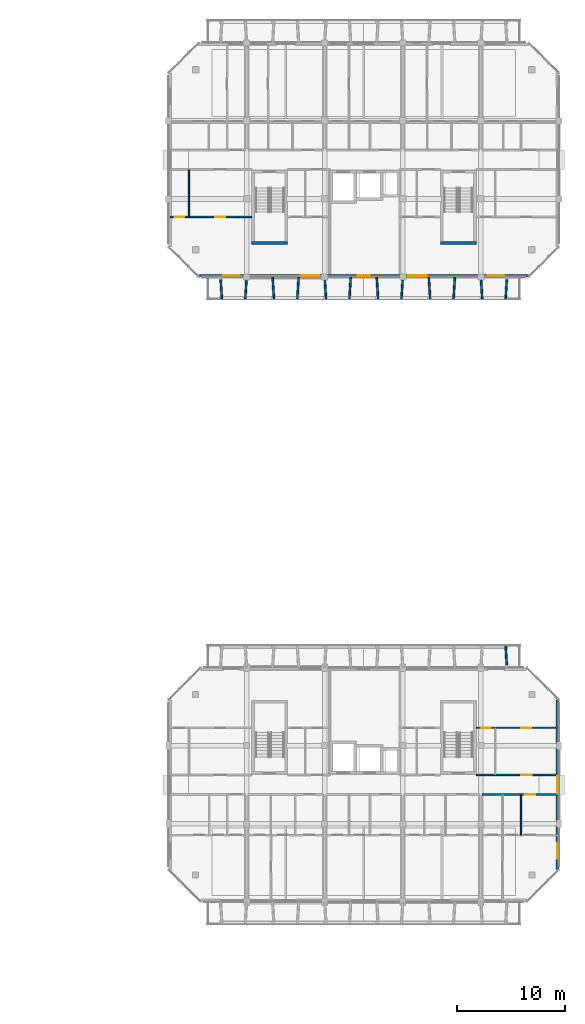
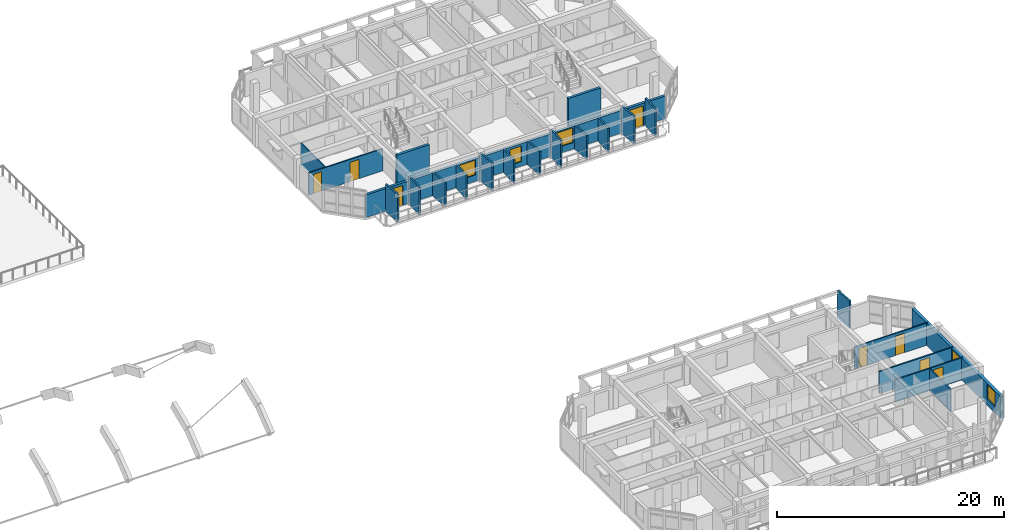
# One storey, part 43 of 64: 23 walls, 8 doors, 5 windows, 13 openings.
"""IFC4 building model written with IfcOpenShell, lengths in metres."""

from ifc_helpers import new_model, si_unit, direction, frame, frame_2d, origin, place, context, subcontext, project, spatial, rectangle, extrude, material, layer, layer_set, type_object, element, fill, save


model = new_model("IFC4")

# Units and contexts
model_context = context("Model", 3, precision=1e-05, world=origin(), true_north=direction((0.0, 1.0)))
body_context = subcontext(model_context, "Body", "Model", "MODEL_VIEW")
ifc_project = project(units=[si_unit("LENGTHUNIT", "METRE"), si_unit("AREAUNIT", "SQUARE_METRE"), si_unit("VOLUMEUNIT", "CUBIC_METRE"), si_unit("PLANEANGLEUNIT", "RADIAN"), si_unit("MASSUNIT", "GRAM", prefix="KILO")], contexts=[model_context])

# Site, building, storey
site_placement = place(None, origin())
site = spatial("IfcSite", under=ifc_project, at=site_placement, CompositionType="ELEMENT")
building_placement = place(site_placement, origin())
building = spatial("IfcBuilding", under=site, at=building_placement, Name="Ochrevale Crest", CompositionType="ELEMENT")
storey_placement = place(building_placement, frame((0.0, 0.0, 8.699951171875)))
storey = spatial("IfcBuildingStorey", under=building, at=storey_placement, Name="L02", CompositionType="ELEMENT", Elevation=8.699951171875)

# Wall, opening, door
ifc_material_1 = material(Name="Gypsum plasterboard", Category="gypsum")
ifc_layer_1 = layer(ifc_material_1, 0.139892578125)
ifc_layer_set_1 = layer_set([ifc_layer_1], Name="Gypsum plasterboard")
wall_type_1 = type_object("IfcWallType", Name="WL-COR-140", PredefinedType="PARTITIONING", material=ifc_layer_set_1)
wall_1_placement = place(storey_placement, frame((158.5400390625, 24.300048828125, 0.0), z_axis=(0.0, 0.0, 1.0), x_axis=(1.0, 0.0, 0.0)))
wall_1 = element("IfcWall", 1, at=wall_1_placement, inside=storey, type_object=wall_type_1, Name="Apartment C-L02-U5 corridor wall", PredefinedType="PARTITIONING", context=body_context, shape_type="SweptSolid", body=[
    extrude(rectangle(XDim=6.919921875, YDim=0.139892578125, at=frame_2d((3.4599609375, 0.0))), origin(), (0.0, 0.0, 1.0), 2.380126953125),
])
opening_1_placement = place(wall_1_placement, frame((3.89501953125, 0.0, 0.0)))
opening_1 = element("IfcOpeningElement", 2, at=opening_1_placement, cuts=wall_1, Name="Opening FD01", PredefinedType="OPENING", context=body_context, shape_type="SweptSolid", body=[
    extrude(rectangle(XDim=0.97998046875, YDim=2.10009765625, at=frame_2d((0.489990234375, 1.050048828125))), frame((0.0, 0.080078125, 0.0), z_axis=(0.0, -1.0, 0.0), x_axis=(1.0, 0.0, 0.0)), (0.0, 0.0, 1.0), 0.159912109375),
])
ifc_material_2 = material(Name="Solid-core FSC hardwood", Category="wood")
door_type_1 = type_object("IfcDoorType", Name="DR-APT-950", OperationType="NOTDEFINED", PredefinedType="DOOR", material=ifc_material_2)
door_1_placement = place(opening_1_placement, origin())
door_1 = element("IfcDoor", 3, at=door_1_placement, inside=storey, type_object=door_type_1, Name="Apartment C-L02-U5 entrance door", OperationType="SINGLE_SWING_LEFT", OverallHeight=2.10009765625, OverallWidth=0.97998046875, PredefinedType="DOOR", context=body_context, shape_type="SweptSolid", body=[
    extrude(rectangle(XDim=0.97998046875, YDim=2.10009765625, at=frame_2d((0.489990234375, 1.050048828125))), frame((0.0, 0.02490234375, 0.0), z_axis=(0.0, -1.0, 0.0), x_axis=(1.0, 0.0, 0.0)), (0.0, 0.0, 1.0), 0.050048828125),
])
fill(opening_1, door_1)

wall_2_placement = place(storey_placement, frame((157.989990234375, 26.10009765625, 0.0), z_axis=(0.0, 0.0, 1.0), x_axis=(1.0, 0.0, 0.0)))
wall_2 = element("IfcWall", 4, at=wall_2_placement, inside=storey, type_object=wall_type_1, Name="Suite C-L02-CE corridor wall", PredefinedType="PARTITIONING", context=body_context, shape_type="SweptSolid", body=[
    extrude(rectangle(XDim=7.469970703125, YDim=0.139892578125, at=frame_2d((3.73486328125, 0.0))), origin(), (0.0, 0.0, 1.0), 2.380126953125),
])
opening_2_placement = place(wall_2_placement, frame((4.1201171875, 0.0, 0.0)))
opening_2 = element("IfcOpeningElement", 5, at=opening_2_placement, cuts=wall_2, Name="Opening FD01", PredefinedType="OPENING", context=body_context, shape_type="SweptSolid", body=[
    extrude(rectangle(XDim=0.97998046875, YDim=2.10009765625, at=frame_2d((0.489990234375, 1.050048828125))), frame((0.0, 0.080078125, 0.0), z_axis=(0.0, -1.0, 0.0), x_axis=(1.0, 0.0, 0.0)), (0.0, 0.0, 1.0), 0.159912109375),
])
door_2_placement = place(opening_2_placement, origin())
door_2 = element("IfcDoor", 6, at=door_2_placement, inside=storey, type_object=door_type_1, Name="Suite C-L02-CE entrance door", OperationType="SINGLE_SWING_LEFT", OverallHeight=2.10009765625, OverallWidth=0.97998046875, PredefinedType="DOOR", context=body_context, shape_type="SweptSolid", body=[
    extrude(rectangle(XDim=0.97998046875, YDim=2.10009765625, at=frame_2d((0.489990234375, 1.050048828125))), frame((0.0, 0.02490234375, 0.0), z_axis=(0.0, -1.0, 0.0), x_axis=(1.0, 0.0, 0.0)), (0.0, 0.0, 1.0), 0.050048828125),
])
fill(opening_2, door_2)

# Walls
ifc_material_3 = material(Name="Precast concrete C50/60", Category="concrete")
ifc_layer_2 = layer(ifc_material_3, 0.2548828125)
ifc_layer_set_2 = layer_set([ifc_layer_2], Name="Precast concrete C50/60")
wall_type_2 = type_object("IfcWallType", Name="WL-CORE-255", PredefinedType="SHEAR", material=ifc_layer_set_2)
for number, where, z_axis, x_axis, name in (
    (7, (137.2724609375, 75.14990234375, 0.0), (0.0, 0.0, 1.0), (1.0, 0.0, 0.0), "Block D L02 Stair 1 precast core shear wall S"),
    (8, (154.672607421875, 75.14990234375, 0.0), (0.0, 0.0, 1.0), (1.0, 0.0, 0.0), "Block D L02 Stair 2 precast core shear wall S"),
):
    element("IfcWall", number, at=place(storey_placement, frame(where, z_axis=z_axis, x_axis=x_axis)), inside=storey, type_object=wall_type_2, Name=name, PredefinedType="SHEAR", context=body_context, shape_type="SweptSolid", body=[
        extrude(rectangle(XDim=3.304931640625, YDim=0.2548828125, at=frame_2d((1.65234375, 0.0))), origin(), (0.0, 0.0, 1.0), 3.150146484375),
    ])

# Wall, openings, windows
ifc_material_4 = material(Name="Clay face brickwork", Category="masonry")
ifc_layer_3 = layer(ifc_material_4, 0.2900390625)
ifc_layer_set_3 = layer_set([ifc_layer_3], Name="Clay face brickwork")
wall_type_3 = type_object("IfcWallType", Name="WL-EXT-BRICK-290", PredefinedType="SOLIDWALL", material=ifc_layer_set_3)
wall_3_placement = place(storey_placement, frame((165.455078125, 17.39990234375, 0.0), z_axis=(0.0, 0.0, 1.0), x_axis=(0.0, 1.0, 0.0)))
wall_3 = element("IfcWall", 9, at=wall_3_placement, inside=storey, type_object=wall_type_3, Name="Block C L02 external facade wall E3", PredefinedType="SOLIDWALL", context=body_context, shape_type="SweptSolid", body=[
    extrude(rectangle(XDim=15.60009765625, YDim=0.2900390625, at=frame_2d((7.800048828125, 0.0))), origin(), (0.0, 0.0, 1.0), 2.380126953125),
])
opening_3_placement = place(wall_3_placement, frame((6.97509765625, 0.0, 1.050048828125)))
opening_3 = element("IfcOpeningElement", 10, at=opening_3_placement, cuts=wall_3, Name="Opening W19", PredefinedType="OPENING", context=body_context, shape_type="SweptSolid", body=[
    extrude(rectangle(XDim=1.64990234375, YDim=1.14990234375, at=frame_2d((0.824951171875, 0.574951171875))), frame((0.0, 0.155029296875, 0.0), z_axis=(0.0, -1.0, 0.0), x_axis=(1.0, 0.0, 0.0)), (0.0, 0.0, 1.0), 0.31005859375),
])
opening_4_placement = place(wall_3_placement, frame((0.97998046875, 0.0, 0.669921875)))
opening_4 = element("IfcOpeningElement", 11, at=opening_4_placement, cuts=wall_3, Name="Opening W31", PredefinedType="OPENING", context=body_context, shape_type="SweptSolid", body=[
    extrude(rectangle(XDim=1.419921875, YDim=1.60009765625, at=frame_2d((0.7099609375, 0.800048828125))), frame((0.0, 0.155029296875, 0.0), z_axis=(0.0, -1.0, 0.0), x_axis=(1.0, 0.0, 0.0)), (0.0, 0.0, 1.0), 0.31005859375),
])
ifc_material_5 = material(Name="Anodised aluminium 6063-T5 and low-E double glazing", Category="aluminium")
window_type_1 = type_object("IfcWindowType", Name="WIN-W19", PartitioningType="SINGLE_PANEL", PredefinedType="WINDOW", material=ifc_material_5)
window_1_placement = place(opening_3_placement, origin())
window_1 = element("IfcWindow", 12, at=window_1_placement, inside=storey, type_object=window_type_1, Name="Block C L02 corridor end daylight window E", OverallHeight=1.14990234375, OverallWidth=1.64990234375, PartitioningType="SINGLE_PANEL", PredefinedType="WINDOW", context=body_context, shape_type="SweptSolid", body=[
    extrude(rectangle(XDim=1.64990234375, YDim=1.14990234375, at=frame_2d((0.824951171875, 0.574951171875))), frame((0.0, 0.030029296875, 0.0), z_axis=(0.0, -1.0, 0.0), x_axis=(1.0, 0.0, 0.0)), (0.0, 0.0, 1.0), 0.06005859375),
])
fill(opening_3, window_1)
window_type_2 = type_object("IfcWindowType", Name="WIN-W31", PartitioningType="SINGLE_PANEL", PredefinedType="WINDOW", material=ifc_material_5)
window_2_placement = place(opening_4_placement, origin())
window_2 = element("IfcWindow", 13, at=window_2_placement, inside=storey, type_object=window_type_2, Name="Block C L02 side suite window E", OverallHeight=1.60009765625, OverallWidth=1.419921875, PartitioningType="SINGLE_PANEL", PredefinedType="WINDOW", context=body_context, shape_type="SweptSolid", body=[
    extrude(rectangle(XDim=1.419921875, YDim=1.60009765625, at=frame_2d((0.7099609375, 0.800048828125))), frame((0.0, 0.030029296875, 0.0), z_axis=(0.0, -1.0, 0.0), x_axis=(1.0, 0.0, 0.0)), (0.0, 0.0, 1.0), 0.06005859375),
])
fill(opening_4, window_2)

# Wall, openings, doors, windows
ifc_material_6 = material(Name="Precast concrete C40/50", Category="concrete")
ifc_layer_4 = layer(ifc_material_6, 0.25)
ifc_layer_set_4 = layer_set([ifc_layer_4], Name="Precast concrete C40/50")
wall_type_4 = type_object("IfcWallType", Name="WL-EXT-GOLD-250", PredefinedType="SOLIDWALL", material=ifc_layer_set_4)
wall_4_placement = place(storey_placement, frame((132.39990234375, 72.125, 0.0), z_axis=(0.0, 0.0, 1.0), x_axis=(1.0, 0.0, 0.0)))
wall_4 = element("IfcWall", 14, at=wall_4_placement, inside=storey, type_object=wall_type_4, Name="Block D L02 external facade wall E1", PredefinedType="SOLIDWALL", context=body_context, shape_type="SweptSolid", body=[
    extrude(rectangle(XDim=30.400146484375, YDim=0.25, at=frame_2d((15.2001953125, 0.0))), origin(), (0.0, 0.0, 1.0), 2.429931640625),
])
opening_5_placement = place(wall_4_placement, frame((3.75, 0.0, 0.0), z_axis=(0.0, 0.0, 1.0), x_axis=(-1.0, 0.0, 0.0)))
opening_5 = element("IfcOpeningElement", 15, at=opening_5_placement, cuts=wall_4, Name="Opening BD01", PredefinedType="OPENING", context=body_context, shape_type="SweptSolid", body=[
    extrude(rectangle(XDim=1.5, YDim=2.14990234375, at=frame_2d((0.75, 1.074951171875))), frame((0.0, 0.135009765625, 0.0), z_axis=(0.0, -1.0, 0.0), x_axis=(1.0, 0.0, 0.0)), (0.0, 0.0, 1.0), 0.27001953125),
])
opening_6_placement = place(wall_4_placement, frame((28.14990234375, 0.0, 0.0), z_axis=(0.0, 0.0, 1.0), x_axis=(-1.0, 0.0, 0.0)))
opening_6 = element("IfcOpeningElement", 16, at=opening_6_placement, cuts=wall_4, Name="Opening BD01", PredefinedType="OPENING", context=body_context, shape_type="SweptSolid", body=[
    extrude(rectangle(XDim=1.5, YDim=2.14990234375, at=frame_2d((0.75, 1.074951171875))), frame((0.0, 0.135009765625, 0.0), z_axis=(0.0, -1.0, 0.0), x_axis=(1.0, 0.0, 0.0)), (0.0, 0.0, 1.0), 0.27001953125),
])
opening_7_placement = place(wall_4_placement, frame((14.625, 0.0, 0.5)))
opening_7 = element("IfcOpeningElement", 17, at=opening_7_placement, cuts=wall_4, Name="Opening W32", PredefinedType="OPENING", context=body_context, shape_type="SweptSolid", body=[
    extrude(rectangle(XDim=1.14990234375, YDim=1.679931640625, at=frame_2d((0.574951171875, 0.83984375))), frame((0.0, 0.135009765625, 0.0), z_axis=(0.0, -1.0, 0.0), x_axis=(1.0, 0.0, 0.0)), (0.0, 0.0, 1.0), 0.27001953125),
])
opening_8_placement = place(wall_4_placement, frame((19.297607421875, 0.0, 0.699951171875)))
opening_8 = element("IfcOpeningElement", 18, at=opening_8_placement, cuts=wall_4, Name="Opening W10", PredefinedType="OPENING", context=body_context, shape_type="SweptSolid", body=[
    extrude(rectangle(XDim=1.719970703125, YDim=1.60009765625, at=frame_2d((0.85986328125, 0.800048828125))), frame((0.0, 0.135009765625, 0.0), z_axis=(0.0, -1.0, 0.0), x_axis=(1.0, 0.0, 0.0)), (0.0, 0.0, 1.0), 0.27001953125),
])
opening_9_placement = place(wall_4_placement, frame((9.382568359375, 0.0, 0.699951171875)))
opening_9 = element("IfcOpeningElement", 19, at=opening_9_placement, cuts=wall_4, Name="Opening W10", PredefinedType="OPENING", context=body_context, shape_type="SweptSolid", body=[
    extrude(rectangle(XDim=1.719970703125, YDim=1.60009765625, at=frame_2d((0.85986328125, 0.800048828125))), frame((0.0, 0.135009765625, 0.0), z_axis=(0.0, -1.0, 0.0), x_axis=(1.0, 0.0, 0.0)), (0.0, 0.0, 1.0), 0.27001953125),
])
ifc_material_7 = material(Name="Anodised aluminium 6063-T5 and toughened glass", Category="aluminium")
door_type_2 = type_object("IfcDoorType", Name="DR-BAL-1500", OperationType="NOTDEFINED", PredefinedType="DOOR", material=ifc_material_7)
door_3_placement = place(opening_5_placement, origin())
door_3 = element("IfcDoor", 20, at=door_3_placement, inside=storey, type_object=door_type_2, Name="Block D L02 balcony door S1", OperationType="SINGLE_SWING_LEFT", OverallHeight=2.14990234375, OverallWidth=1.5, PredefinedType="DOOR", context=body_context, shape_type="SweptSolid", body=[
    extrude(rectangle(XDim=1.5, YDim=2.14990234375, at=frame_2d((0.75, 1.074951171875))), frame((0.0, 0.02490234375, 0.0), z_axis=(0.0, -1.0, 0.0), x_axis=(1.0, 0.0, 0.0)), (0.0, 0.0, 1.0), 0.050048828125),
])
fill(opening_5, door_3)
door_4_placement = place(opening_6_placement, origin())
door_4 = element("IfcDoor", 21, at=door_4_placement, inside=storey, type_object=door_type_2, Name="Block D L02 balcony door S5", OperationType="SINGLE_SWING_RIGHT", OverallHeight=2.14990234375, OverallWidth=1.5, PredefinedType="DOOR", context=body_context, shape_type="SweptSolid", body=[
    extrude(rectangle(XDim=1.5, YDim=2.14990234375, at=frame_2d((0.75, 1.074951171875))), frame((0.0, 0.02490234375, 0.0), z_axis=(0.0, -1.0, 0.0), x_axis=(1.0, 0.0, 0.0)), (0.0, 0.0, 1.0), 0.050048828125),
])
fill(opening_6, door_4)
window_type_3 = type_object("IfcWindowType", Name="WIN-W10", PartitioningType="SINGLE_PANEL", PredefinedType="WINDOW", material=ifc_material_5)
window_3_placement = place(opening_8_placement, origin())
window_3 = element("IfcWindow", 22, at=window_3_placement, inside=storey, type_object=window_type_3, Name="Block D L02 Suite D-L02-ME Garden Alcove Studio window", OverallHeight=1.60009765625, OverallWidth=1.719970703125, PartitioningType="SINGLE_PANEL", PredefinedType="WINDOW", context=body_context, shape_type="SweptSolid", body=[
    extrude(rectangle(XDim=1.719970703125, YDim=1.60009765625, at=frame_2d((0.85986328125, 0.800048828125))), frame((0.0, 0.030029296875, 0.0), z_axis=(0.0, -1.0, 0.0), x_axis=(1.0, 0.0, 0.0)), (0.0, 0.0, 1.0), 0.06005859375),
])
fill(opening_8, window_3)
window_4_placement = place(opening_9_placement, origin())
window_4 = element("IfcWindow", 23, at=window_4_placement, inside=storey, type_object=window_type_3, Name="Block D L02 Suite D-L02-MW Courtyard Studio Living window", OverallHeight=1.60009765625, OverallWidth=1.719970703125, PartitioningType="SINGLE_PANEL", PredefinedType="WINDOW", context=body_context, shape_type="SweptSolid", body=[
    extrude(rectangle(XDim=1.719970703125, YDim=1.60009765625, at=frame_2d((0.85986328125, 0.800048828125))), frame((0.0, 0.030029296875, 0.0), z_axis=(0.0, -1.0, 0.0), x_axis=(1.0, 0.0, 0.0)), (0.0, 0.0, 1.0), 0.06005859375),
])
fill(opening_9, window_4)
window_type_4 = type_object("IfcWindowType", Name="WIN-W32", PartitioningType="SINGLE_PANEL", PredefinedType="WINDOW", material=ifc_material_5)
window_5_placement = place(opening_7_placement, origin())
window_5 = element("IfcWindow", 24, at=window_5_placement, inside=storey, type_object=window_type_4, Name="Block D L02 core lancet window", OverallHeight=1.679931640625, OverallWidth=1.14990234375, PartitioningType="SINGLE_PANEL", PredefinedType="WINDOW", context=body_context, shape_type="SweptSolid", body=[
    extrude(rectangle(XDim=1.14990234375, YDim=1.679931640625, at=frame_2d((0.574951171875, 0.83984375))), frame((0.0, 0.030029296875, 0.0), z_axis=(0.0, -1.0, 0.0), x_axis=(1.0, 0.0, 0.0)), (0.0, 0.0, 1.0), 0.06005859375),
])
fill(opening_7, window_5)

# Walls
ifc_layer_5 = layer(ifc_material_6, 0.1650390625)
ifc_layer_set_5 = layer_set([ifc_layer_5], Name="Precast concrete C40/50")
wall_type_5 = type_object("IfcWallType", Name="WL-HC-CHEEK-165", PredefinedType="ELEMENTEDWALL", material=ifc_layer_set_5)
for number, where, z_axis, x_axis, name in (
    (25, (160.800048828125, 36.02001953125, 0.0), (0.0, 0.0, 1.0), (-0.061170732449, 0.998127317276, 0.0), "Block C L02 N precast honeycomb cheek 12"),
    (26, (134.39990234375, 71.97998046875, 0.0), (0.0, 0.0, 1.0), (0.061170732449, -0.998127317276, 0.0), "Block D L02 S precast honeycomb cheek 1"),
    (27, (136.800048828125, 71.97998046875, 0.0), (0.0, 0.0, 1.0), (-0.061170732449, -0.998127317276, 0.0), "Block D L02 S precast honeycomb cheek 2"),
):
    element("IfcWall", number, at=place(storey_placement, frame(where, z_axis=z_axis, x_axis=x_axis)), inside=storey, type_object=wall_type_5, Name=name, PredefinedType="ELEMENTEDWALL", context=body_context, shape_type="SweptSolid", body=[
        extrude(rectangle(XDim=1.963623046875, YDim=0.1650390625, at=frame_2d((0.98193359375, 0.0))), origin(), (0.0, 0.0, 1.0), 2.949951171875),
    ])
for number, where, z_axis, x_axis, name in (
    (28, (139.199951171875, 71.97998046875, 0.0), (0.0, 0.0, 1.0), (0.061170732449, -0.998127317276, 0.0), "Block D L02 S precast honeycomb cheek 3"),
    (29, (141.60009765625, 71.97998046875, 0.0), (0.0, 0.0, 1.0), (-0.061170732449, -0.998127317276, 0.0), "Block D L02 S precast honeycomb cheek 4"),
):
    element("IfcWall", number, at=place(storey_placement, frame(where, z_axis=z_axis, x_axis=x_axis)), inside=storey, type_object=wall_type_5, Name=name, PredefinedType="ELEMENTEDWALL", context=body_context, shape_type="SweptSolid", body=[
        extrude(rectangle(XDim=1.963623046875, YDim=0.1650390625, at=frame_2d((0.98193359375, 0.0))), origin(), (0.0, 0.0, 1.0), 2.530029296875),
    ])
wall_5_placement = place(storey_placement, frame((144.0, 71.97998046875, 0.0), z_axis=(0.0, 0.0, 1.0), x_axis=(0.061170732449, -0.998127317276, 0.0)))
element("IfcWall", 30, at=wall_5_placement, inside=storey, type_object=wall_type_5, Name="Block D L02 S precast honeycomb cheek 5", PredefinedType="ELEMENTEDWALL", context=body_context, shape_type="SweptSolid", body=[
    extrude(rectangle(XDim=1.963623046875, YDim=0.1650390625, at=frame_2d((0.98193359375, 0.0))), origin(), (0.0, 0.0, 1.0), 2.949951171875),
])
for number, where, z_axis, x_axis, name in (
    (31, (146.39990234375, 71.97998046875, 0.0), (0.0, 0.0, 1.0), (-0.061046865508, -0.998134900808, 0.0), "Block D L02 S precast honeycomb cheek 6"),
    (32, (148.800048828125, 71.97998046875, 0.0), (0.0, 0.0, 1.0), (0.061046865508, -0.998134900808, 0.0), "Block D L02 S precast honeycomb cheek 7"),
):
    element("IfcWall", number, at=place(storey_placement, frame(where, z_axis=z_axis, x_axis=x_axis)), inside=storey, type_object=wall_type_5, Name=name, PredefinedType="ELEMENTEDWALL", context=body_context, shape_type="SweptSolid", body=[
        extrude(rectangle(XDim=1.963623046875, YDim=0.1650390625, at=frame_2d((0.98193359375, 0.0))), origin(), (0.0, 0.0, 1.0), 2.530029296875),
    ])
wall_6_placement = place(storey_placement, frame((151.199951171875, 71.97998046875, 0.0), z_axis=(0.0, 0.0, 1.0), x_axis=(-0.061046865508, -0.998134900808, 0.0)))
element("IfcWall", 33, at=wall_6_placement, inside=storey, type_object=wall_type_5, Name="Block D L02 S precast honeycomb cheek 8", PredefinedType="ELEMENTEDWALL", context=body_context, shape_type="SweptSolid", body=[
    extrude(rectangle(XDim=1.963623046875, YDim=0.1650390625, at=frame_2d((0.98193359375, 0.0))), origin(), (0.0, 0.0, 1.0), 2.949951171875),
])
for number, where, z_axis, x_axis, name in (
    (34, (153.60009765625, 71.97998046875, 0.0), (0.0, 0.0, 1.0), (0.061046865508, -0.998134900808, 0.0), "Block D L02 S precast honeycomb cheek 9"),
    (35, (156.0, 71.97998046875, 0.0), (0.0, 0.0, 1.0), (-0.061170732449, -0.998127317276, 0.0), "Block D L02 S precast honeycomb cheek 10"),
):
    element("IfcWall", number, at=place(storey_placement, frame(where, z_axis=z_axis, x_axis=x_axis)), inside=storey, type_object=wall_type_5, Name=name, PredefinedType="ELEMENTEDWALL", context=body_context, shape_type="SweptSolid", body=[
        extrude(rectangle(XDim=1.963623046875, YDim=0.1650390625, at=frame_2d((0.98193359375, 0.0))), origin(), (0.0, 0.0, 1.0), 2.550048828125),
    ])
for number, where, z_axis, x_axis, name in (
    (36, (158.39990234375, 71.97998046875, 0.0), (0.0, 0.0, 1.0), (0.061170732449, -0.998127317276, 0.0), "Block D L02 S precast honeycomb cheek 11"),
    (37, (160.800048828125, 71.97998046875, 0.0), (0.0, 0.0, 1.0), (-0.061170732449, -0.998127317276, 0.0), "Block D L02 S precast honeycomb cheek 12"),
):
    element("IfcWall", number, at=place(storey_placement, frame(where, z_axis=z_axis, x_axis=x_axis)), inside=storey, type_object=wall_type_5, Name=name, PredefinedType="ELEMENTEDWALL", context=body_context, shape_type="SweptSolid", body=[
        extrude(rectangle(XDim=1.963623046875, YDim=0.1650390625, at=frame_2d((0.98193359375, 0.0))), origin(), (0.0, 0.0, 1.0), 2.949951171875),
    ])
ifc_layer_6 = layer(ifc_material_1, 0.1201171875)
ifc_layer_set_6 = layer_set([ifc_layer_6], Name="Gypsum plasterboard")
wall_type_6 = type_object("IfcWallType", Name="WL-PART-120", PredefinedType="PARTITIONING", material=ifc_layer_set_6)
wall_7_placement = place(storey_placement, frame((162.10009765625, 20.550048828125, 0.0), z_axis=(0.0, 0.0, 1.0), x_axis=(0.0, 1.0, 0.0)))
element("IfcWall", 38, at=wall_7_placement, inside=storey, type_object=wall_type_6, Name="Apartment C-L02-U5 kitchen-foyer wall", PredefinedType="PARTITIONING", context=body_context, shape_type="SweptSolid", body=[
    extrude(rectangle(XDim=3.75, YDim=0.1201171875, at=frame_2d((1.875, 0.0))), origin(), (0.0, 0.0, 1.0), 2.375),
])

# Wall, openings, doors
wall_8_placement = place(storey_placement, frame((157.989990234375, 30.449951171875, 0.0), z_axis=(0.0, 0.0, 1.0), x_axis=(1.0, 0.0, 0.0)))
wall_8 = element("IfcWall", 39, at=wall_8_placement, inside=storey, type_object=wall_type_6, Name="Suite C-L02-CE internal wall", PredefinedType="PARTITIONING", context=body_context, shape_type="SweptSolid", body=[
    extrude(rectangle(XDim=7.469970703125, YDim=0.1201171875, at=frame_2d((3.73486328125, 0.0))), origin(), (0.0, 0.0, 1.0), 2.380126953125),
])
opening_10_placement = place(wall_8_placement, frame((1.300048828125, 0.0, 0.0), z_axis=(0.0, 0.0, 1.0), x_axis=(-1.0, 0.0, 0.0)))
opening_10 = element("IfcOpeningElement", 40, at=opening_10_placement, cuts=wall_8, Name="Opening ID01", PredefinedType="OPENING", context=body_context, shape_type="SweptSolid", body=[
    extrude(rectangle(XDim=0.85009765625, YDim=2.080078125, at=frame_2d((0.425048828125, 1.0400390625))), frame((0.0, 0.070068359375, 0.0), z_axis=(0.0, -1.0, 0.0), x_axis=(1.0, 0.0, 0.0)), (0.0, 0.0, 1.0), 0.14013671875),
])
opening_11_placement = place(wall_8_placement, frame((4.14990234375, 0.0, 0.0)))
opening_11 = element("IfcOpeningElement", 41, at=opening_11_placement, cuts=wall_8, Name="Opening ID04", PredefinedType="OPENING", context=body_context, shape_type="SweptSolid", body=[
    extrude(rectangle(XDim=0.919921875, YDim=2.080078125, at=frame_2d((0.4599609375, 1.0400390625))), frame((0.0, 0.070068359375, 0.0), z_axis=(0.0, -1.0, 0.0), x_axis=(1.0, 0.0, 0.0)), (0.0, 0.0, 1.0), 0.14013671875),
])
door_type_3 = type_object("IfcDoorType", Name="DR-INT-920", OperationType="NOTDEFINED", PredefinedType="DOOR", material=ifc_material_2)
door_5_placement = place(opening_11_placement, origin())
door_5 = element("IfcDoor", 42, at=door_5_placement, inside=storey, type_object=door_type_3, Name="Suite C-L02-CE Master Bedroom door", OperationType="SINGLE_SWING_LEFT", OverallHeight=2.080078125, OverallWidth=0.919921875, PredefinedType="DOOR", context=body_context, shape_type="SweptSolid", body=[
    extrude(rectangle(XDim=0.919921875, YDim=2.080078125, at=frame_2d((0.4599609375, 1.0400390625))), frame((0.0, 0.02490234375, 0.0), z_axis=(0.0, -1.0, 0.0), x_axis=(1.0, 0.0, 0.0)), (0.0, 0.0, 1.0), 0.050048828125),
])
fill(opening_11, door_5)
door_type_4 = type_object("IfcDoorType", Name="DR-WC-850", OperationType="NOTDEFINED", PredefinedType="DOOR", material=ifc_material_2)
door_6_placement = place(opening_10_placement, origin())
door_6 = element("IfcDoor", 43, at=door_6_placement, inside=storey, type_object=door_type_4, Name="Suite C-L02-CE Bathroom door", OperationType="SINGLE_SWING_RIGHT", OverallHeight=2.080078125, OverallWidth=0.85009765625, PredefinedType="DOOR", context=body_context, shape_type="SweptSolid", body=[
    extrude(rectangle(XDim=0.85009765625, YDim=2.080078125, at=frame_2d((0.425048828125, 1.0400390625))), frame((0.0, 0.02490234375, 0.0), z_axis=(0.0, -1.0, 0.0), x_axis=(1.0, 0.0, 0.0)), (0.0, 0.0, 1.0), 0.050048828125),
])
fill(opening_10, door_6)

wall_9_placement = place(storey_placement, frame((129.739990234375, 77.550048828125, 0.0), z_axis=(0.0, 0.0, 1.0), x_axis=(1.0, 0.0, 0.0)))
wall_9 = element("IfcWall", 44, at=wall_9_placement, inside=storey, type_object=wall_type_6, Name="Suite D-L02-CW internal wall", PredefinedType="PARTITIONING", context=body_context, shape_type="SweptSolid", body=[
    extrude(rectangle(XDim=7.52001953125, YDim=0.1201171875, at=frame_2d((3.760009765625, 0.0))), origin(), (0.0, 0.0, 1.0), 2.380126953125),
])
opening_12_placement = place(wall_9_placement, frame((0.449951171875, 0.0, 0.0)))
opening_12 = element("IfcOpeningElement", 45, at=opening_12_placement, cuts=wall_9, Name="Opening ID01", PredefinedType="OPENING", context=body_context, shape_type="SweptSolid", body=[
    extrude(rectangle(XDim=0.85009765625, YDim=2.080078125, at=frame_2d((0.425048828125, 1.0400390625))), frame((0.0, 0.070068359375, 0.0), z_axis=(0.0, -1.0, 0.0), x_axis=(1.0, 0.0, 0.0)), (0.0, 0.0, 1.0), 0.14013671875),
])
opening_13_placement = place(wall_9_placement, frame((5.094970703125, 0.0, 0.0), z_axis=(0.0, 0.0, 1.0), x_axis=(-1.0, 0.0, 0.0)))
opening_13 = element("IfcOpeningElement", 46, at=opening_13_placement, cuts=wall_9, Name="Opening ID04", PredefinedType="OPENING", context=body_context, shape_type="SweptSolid", body=[
    extrude(rectangle(XDim=0.919921875, YDim=2.080078125, at=frame_2d((0.4599609375, 1.0400390625))), frame((0.0, 0.070068359375, 0.0), z_axis=(0.0, -1.0, 0.0), x_axis=(1.0, 0.0, 0.0)), (0.0, 0.0, 1.0), 0.14013671875),
])
door_7_placement = place(opening_13_placement, origin())
door_7 = element("IfcDoor", 47, at=door_7_placement, inside=storey, type_object=door_type_3, Name="Suite D-L02-CW Garden Alcove Studio door", OperationType="SINGLE_SWING_RIGHT", OverallHeight=2.080078125, OverallWidth=0.919921875, PredefinedType="DOOR", context=body_context, shape_type="SweptSolid", body=[
    extrude(rectangle(XDim=0.919921875, YDim=2.080078125, at=frame_2d((0.4599609375, 1.0400390625))), frame((0.0, 0.02490234375, 0.0), z_axis=(0.0, -1.0, 0.0), x_axis=(1.0, 0.0, 0.0)), (0.0, 0.0, 1.0), 0.050048828125),
])
fill(opening_13, door_7)
door_8_placement = place(opening_12_placement, origin())
door_8 = element("IfcDoor", 48, at=door_8_placement, inside=storey, type_object=door_type_4, Name="Suite D-L02-CW Bathroom door", OperationType="SINGLE_SWING_LEFT", OverallHeight=2.080078125, OverallWidth=0.85009765625, PredefinedType="DOOR", context=body_context, shape_type="SweptSolid", body=[
    extrude(rectangle(XDim=0.85009765625, YDim=2.080078125, at=frame_2d((0.425048828125, 1.0400390625))), frame((0.0, 0.02490234375, 0.0), z_axis=(0.0, -1.0, 0.0), x_axis=(1.0, 0.0, 0.0)), (0.0, 0.0, 1.0), 0.050048828125),
])
fill(opening_12, door_8)

# Wall
ifc_layer_7 = layer(ifc_material_1, 0.10009765625)
ifc_layer_set_7 = layer_set([ifc_layer_7], Name="Gypsum plasterboard")
wall_type_7 = type_object("IfcWallType", Name="WL-WET-100", PredefinedType="PARTITIONING", material=ifc_layer_set_7)
wall_10_placement = place(storey_placement, frame((131.489990234375, 77.550048828125, 0.0), z_axis=(0.0, 0.0, 1.0), x_axis=(0.0, 1.0, 0.0)))
element("IfcWall", 49, at=wall_10_placement, inside=storey, type_object=wall_type_7, Name="Suite D-L02-CW bathroom divider", PredefinedType="PARTITIONING", context=body_context, shape_type="SweptSolid", body=[
    extrude(rectangle(XDim=4.349853515625, YDim=0.10009765625, at=frame_2d((2.1748046875, 0.0))), origin(), (0.0, 0.0, 1.0), 2.375),
])

save(model, "model.ifc")
